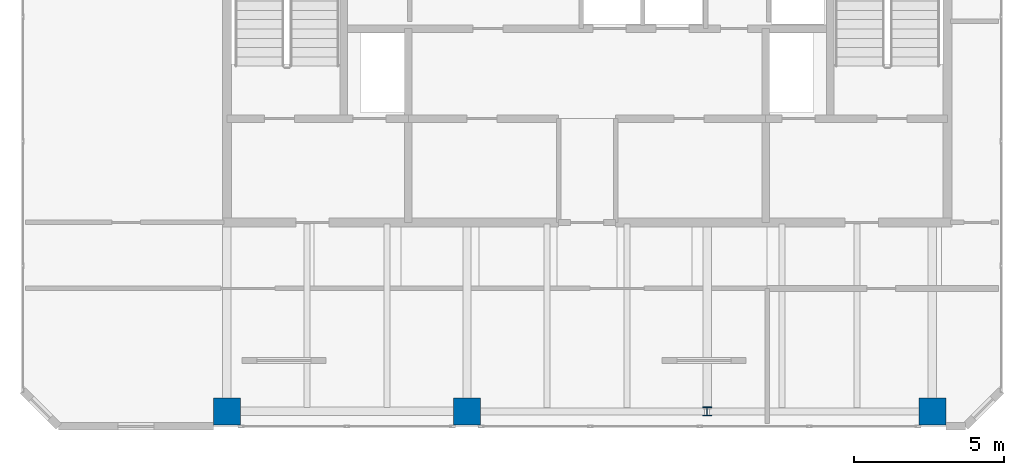
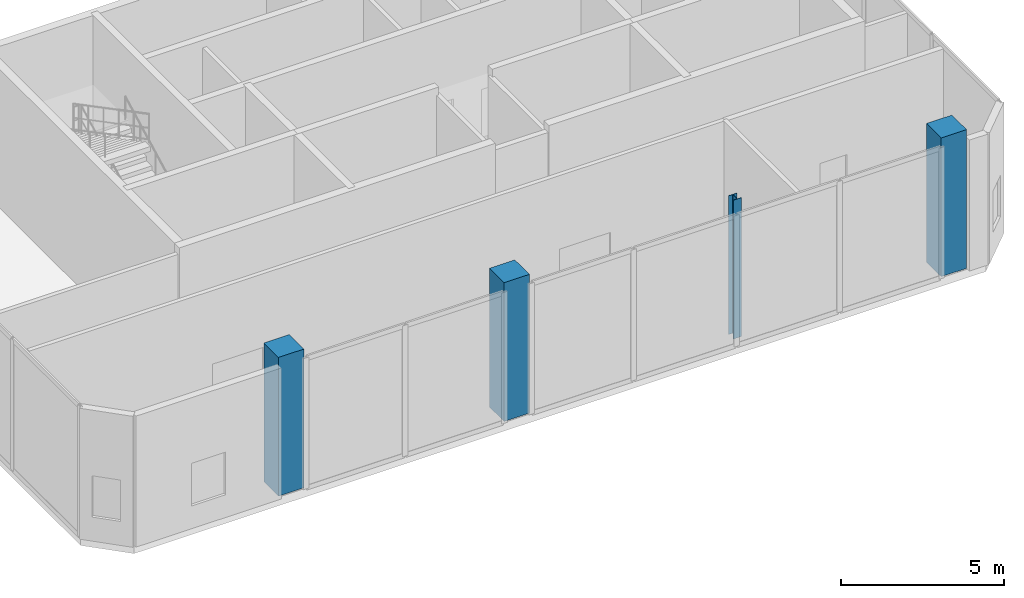
# One storey, part 1 of 10: 4 columns.
"""IFC4 building model written with IfcOpenShell, lengths in metres."""

from ifc_helpers import new_model, si_unit, direction, frame, origin, origin_2d, place, context, subcontext, project, spatial, rectangle, i_section, extrude, material, material_profile, profile_set, type_object, element, save


model = new_model("IFC4")

# Units and contexts
model_context = context("Model", 3, precision=1e-05, world=origin(), true_north=direction((0.0, 1.0)))
body_context = subcontext(model_context, "Body", "Model", "MODEL_VIEW")
ifc_project = project(units=[si_unit("LENGTHUNIT", "METRE"), si_unit("AREAUNIT", "SQUARE_METRE"), si_unit("VOLUMEUNIT", "CUBIC_METRE"), si_unit("PLANEANGLEUNIT", "RADIAN"), si_unit("MASSUNIT", "GRAM", prefix="KILO")], contexts=[model_context])

# Site, building, storey
site_placement = place(None, origin())
site = spatial("IfcSite", under=ifc_project, at=site_placement, CompositionType="ELEMENT")
building_placement = place(site_placement, origin())
building = spatial("IfcBuilding", under=site, at=building_placement, Name="Catumbela Crestline Tower", CompositionType="ELEMENT")
storey_placement = place(building_placement, frame((0.0, 0.0, 295.8)))
storey = spatial("IfcBuildingStorey", under=building, at=storey_placement, Name="L76", CompositionType="ELEMENT", Elevation=295.8)

# Columns
ifc_material_1 = material(Name="Concrete C45/55", Category="concrete")
ifc_material_profile_1 = material_profile(ifc_material_1, rectangle(XDim=0.9, YDim=0.9, at=origin_2d()), Name="RC 900x900")
ifc_profile_set_1 = profile_set([ifc_material_profile_1], Name="Concrete C45/55")
column_type_1 = type_object("IfcColumnType", Name="C-RC900-C45", PredefinedType="COLUMN", material=ifc_profile_set_1)
for number, where, z_axis, x_axis, name in (
    (1, (16.0, 24.5, 0.0), (0.0, 0.0, 1.0), (1.0, 0.0, 0.0), "L76 Column C-16-24 (RC 900x900)"),
    (2, (24.0, 24.5, 0.0), (0.0, 0.0, 1.0), (1.0, 0.0, 0.0), "L76 Column C-24-24 (RC 900x900)"),
    (3, (39.5, 24.5, 0.0), (0.0, 0.0, 1.0), (1.0, 0.0, 0.0), "L76 Column C-40-24 (RC 900x900)"),
):
    element("IfcColumn", number, at=place(storey_placement, frame(where, z_axis=z_axis, x_axis=x_axis)), inside=storey, type_object=column_type_1, Name=name, PredefinedType="COLUMN", context=body_context, shape_type="SweptSolid", body=[
        extrude(rectangle(XDim=0.9, YDim=0.9, at=origin_2d()), origin(), (0.0, 0.0, 1.0), 5.2),
    ])
ifc_material_2 = material(Name="Structural steel S355J2", Category="steel")
ifc_material_profile_2 = material_profile(ifc_material_2, i_section(OverallWidth=0.3, OverallDepth=0.3, WebThickness=0.011, FlangeThickness=0.019, FilletRadius=0.027, at=origin_2d()), Name="HEB 300")
ifc_profile_set_2 = profile_set([ifc_material_profile_2], Name="Structural steel S355J2")
column_type_2 = type_object("IfcColumnType", Name="C-ST-HEB300", PredefinedType="COLUMN", material=ifc_profile_set_2)
column_placement = place(storey_placement, frame((32.0, 24.5, 0.0), z_axis=(0.0, 0.0, 1.0), x_axis=(1.0, 0.0, 0.0)))
element("IfcColumn", 4, at=column_placement, inside=storey, type_object=column_type_2, Name="L76 Column C-32-24 (HEB 300)", PredefinedType="COLUMN", context=body_context, shape_type="SweptSolid", body=[
    extrude(i_section(OverallWidth=0.3, OverallDepth=0.3, WebThickness=0.011, FlangeThickness=0.019, FilletRadius=0.027, at=origin_2d()), origin(), (0.0, 0.0, 1.0), 5.2),
])

save(model, "model.ifc")
